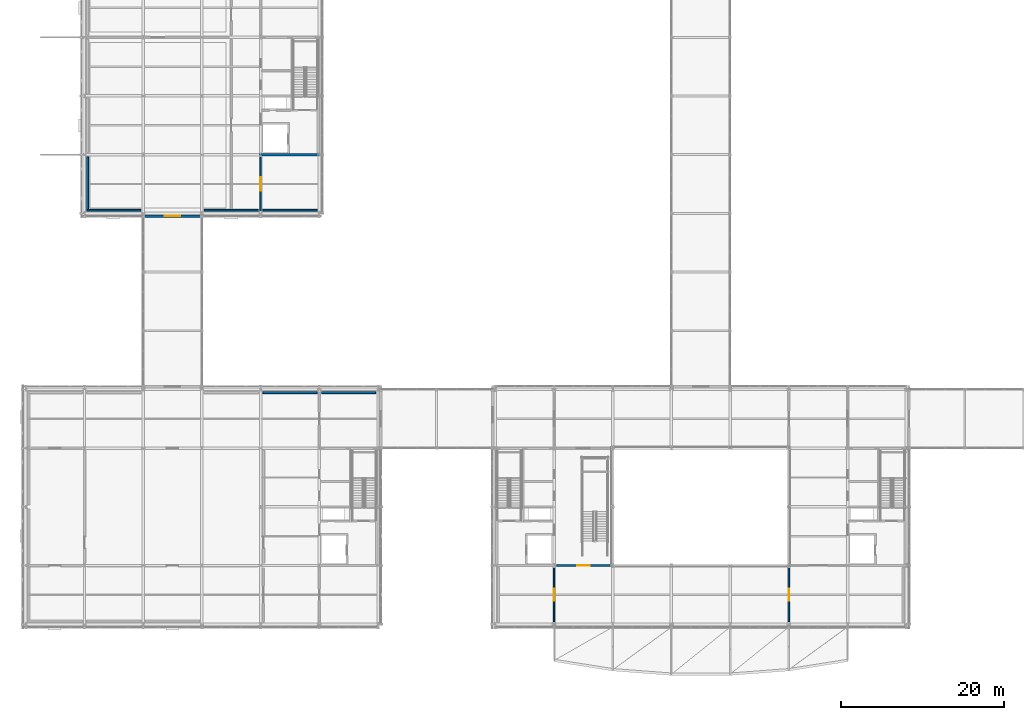
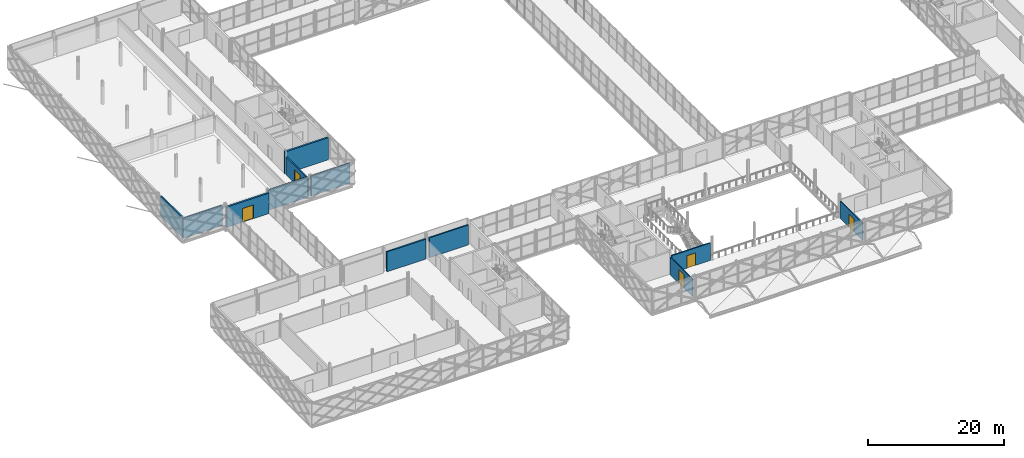
# One storey, part 120 of 146: 12 walls, 5 doors, 5 openings.
"""IFC4 building model written with IfcOpenShell, lengths in metres."""

from ifc_helpers import new_model, si_unit, direction, frame, frame_2d, origin, place, context, subcontext, project, spatial, rectangle, extrude, material, layer, layer_set, type_object, element, fill, save


model = new_model("IFC4")

# Units and contexts
model_context = context("Model", 3, precision=1e-05, world=origin(), true_north=direction((0.0, 1.0)))
body_context = subcontext(model_context, "Body", "Model", "MODEL_VIEW")
ifc_project = project(units=[si_unit("LENGTHUNIT", "METRE"), si_unit("AREAUNIT", "SQUARE_METRE"), si_unit("VOLUMEUNIT", "CUBIC_METRE"), si_unit("PLANEANGLEUNIT", "RADIAN"), si_unit("MASSUNIT", "GRAM", prefix="KILO")], contexts=[model_context])

# Site, building, storey
site_placement = place(None, origin())
site = spatial("IfcSite", under=ifc_project, at=site_placement, CompositionType="ELEMENT")
building_placement = place(site_placement, origin())
building = spatial("IfcBuilding", under=site, at=building_placement, Name="Zlatovets Crest Museum", CompositionType="ELEMENT")
storey_placement = place(building_placement, frame((0.0, 0.0, 4.5)))
storey = spatial("IfcBuildingStorey", under=building, at=storey_placement, Name="L01", CompositionType="ELEMENT", Elevation=4.5)

# Walls
ifc_material_1 = material(Name="Concrete C35/45", Category="concrete")
ifc_layer_1 = layer(ifc_material_1, 0.300048828125)
ifc_layer_set_1 = layer_set([ifc_layer_1], Name="Concrete C35/45")
wall_type_1 = type_object("IfcWallType", Name="CoreWall_SW01", PredefinedType="SHEAR", material=ifc_layer_set_1)
wall_1_placement = place(storey_placement, frame((28.64990234375, 57.60009765625, 0.0), z_axis=(0.0, 0.0, 1.0), x_axis=(1.0, 0.0, 0.0)))
element("IfcWall", 1, at=wall_1_placement, inside=storey, type_object=wall_type_1, Name="Core C4 L01 South Shear Wall", PredefinedType="SHEAR", context=body_context, shape_type="SweptSolid", body=[
    extrude(rectangle(XDim=7.35009765625, YDim=0.300048828125, at=frame_2d((3.675048828125, 0.0))), origin(), (0.0, 0.0, 1.0), 3.97998046875),
])
ifc_material_2 = material(Name="Insulated gallery conservation liner wall", Category="concrete")
ifc_layer_2 = layer(ifc_material_2, 0.300048828125)
ifc_layer_set_2 = layer_set([ifc_layer_2], Name="Insulated gallery conservation liner wall")
wall_type_2 = type_object("IfcWallType", Name="ExtWall_EW-02", PredefinedType="STANDARD", material=ifc_layer_set_2)
for number, where, z_axis, x_axis, name in (
    (2, (42.919921875, 28.419921875, 0.0), (0.0, 0.0, 1.0), (-1.0, 0.0, 0.0), "V3 L01 Interior Conservation Gallery Liner Wall"),
    (3, (35.719970703125, 28.419921875, 0.0), (0.0, 0.0, 1.0), (-1.0, 0.0, 0.0), "V3 L01 Interior Conservation Gallery Liner Wall"),
):
    element("IfcWall", number, at=place(storey_placement, frame(where, z_axis=z_axis, x_axis=x_axis)), inside=storey, type_object=wall_type_2, Name=name, PredefinedType="STANDARD", context=body_context, shape_type="SweptSolid", body=[
        extrude(rectangle(XDim=6.639892578125, YDim=0.239990234375, at=frame_2d((3.31982421875, 0.0))), origin(), (0.0, 0.0, 1.0), 3.580078125),
    ])
wall_2_placement = place(storey_placement, frame((7.47998046875, 50.780029296875, 0.0), z_axis=(0.0, 0.0, 1.0), x_axis=(1.0, 0.0, 0.0)))
element("IfcWall", 4, at=wall_2_placement, inside=storey, type_object=wall_type_2, Name="V4 L01 Interior Conservation Gallery Liner Wall", PredefinedType="STANDARD", context=body_context, shape_type="SweptSolid", body=[
    extrude(rectangle(XDim=6.64013671875, YDim=0.239990234375, at=frame_2d((3.320068359375, 0.0))), origin(), (0.0, 0.0, 1.0), 3.580078125),
])

# Wall, opening, door
wall_3_placement = place(storey_placement, frame((14.39990234375, 50.06005859375, 0.0), z_axis=(0.0, 0.0, 1.0), x_axis=(1.0, 0.0, 0.0)))
wall_3 = element("IfcWall", 5, at=wall_3_placement, inside=storey, type_object=wall_type_2, Name="V4 L01 Bridge Portal Wall", PredefinedType="STANDARD", context=body_context, shape_type="SweptSolid", body=[
    extrude(rectangle(XDim=7.2001953125, YDim=0.300048828125, at=frame_2d((3.60009765625, 0.0))), origin(), (0.0, 0.0, 1.0), 3.64990234375),
])
opening_1_placement = place(wall_3_placement, frame((2.64990234375, 0.0, 0.0)))
opening_1 = element("IfcOpeningElement", 6, at=opening_1_placement, cuts=wall_3, Name="Opening ED-02", PredefinedType="OPENING", context=body_context, shape_type="SweptSolid", body=[
    extrude(rectangle(XDim=1.89990234375, YDim=2.449951171875, at=frame_2d((0.949951171875, 1.22509765625))), frame((0.0, 0.16015625, 0.0), z_axis=(0.0, -1.0, 0.0), x_axis=(1.0, 0.0, 0.0)), (0.0, 0.0, 1.0), 0.320068359375),
])
ifc_material_3 = material(Name="Bronze-clad insulated steel door", Category="steel")
door_type_1 = type_object("IfcDoorType", Name="ExtDoor_ED-02", OperationType="NOTDEFINED", PredefinedType="DOOR", material=ifc_material_3)
door_1_placement = place(opening_1_placement, origin())
door_1 = element("IfcDoor", 7, at=door_1_placement, inside=storey, type_object=door_type_1, Name="ED-V4-L01-BR037 V4 L01 Bridge Link Portal Door", OperationType="DOUBLE_DOOR_SINGLE_SWING", OverallHeight=2.449951171875, OverallWidth=1.89990234375, PredefinedType="DOOR", context=body_context, shape_type="SweptSolid", body=[
    extrude(rectangle(XDim=1.89990234375, YDim=2.449951171875, at=frame_2d((0.949951171875, 1.22509765625))), frame((0.0, 0.02490234375, 0.0), z_axis=(0.0, -1.0, 0.0), x_axis=(1.0, 0.0, 0.0)), (0.0, 0.0, 1.0), 0.050048828125),
])
fill(opening_1, door_1)

# Walls
wall_4_placement = place(storey_placement, frame((21.8798828125, 50.780029296875, 0.0), z_axis=(0.0, 0.0, 1.0), x_axis=(1.0, 0.0, 0.0)))
element("IfcWall", 8, at=wall_4_placement, inside=storey, type_object=wall_type_2, Name="V4 L01 Interior Conservation Gallery Liner Wall", PredefinedType="STANDARD", context=body_context, shape_type="SweptSolid", body=[
    extrude(rectangle(XDim=6.64013671875, YDim=0.239990234375, at=frame_2d((3.320068359375, 0.0))), origin(), (0.0, 0.0, 1.0), 3.580078125),
])
wall_5_placement = place(storey_placement, frame((29.080078125, 50.780029296875, 0.0), z_axis=(0.0, 0.0, 1.0), x_axis=(1.0, 0.0, 0.0)))
element("IfcWall", 9, at=wall_5_placement, inside=storey, type_object=wall_type_2, Name="V4 L01 Interior Conservation Gallery Liner Wall", PredefinedType="STANDARD", context=body_context, shape_type="SweptSolid", body=[
    extrude(rectangle(XDim=6.639892578125, YDim=0.239990234375, at=frame_2d((3.31982421875, 0.0))), origin(), (0.0, 0.0, 1.0), 3.580078125),
])
wall_6_placement = place(storey_placement, frame((7.580078125, 57.320068359375, 0.0), z_axis=(0.0, 0.0, 1.0), x_axis=(0.0, -1.0, 0.0)))
element("IfcWall", 10, at=wall_6_placement, inside=storey, type_object=wall_type_2, Name="V4 L01 Interior Conservation Gallery Liner Wall", PredefinedType="STANDARD", context=body_context, shape_type="SweptSolid", body=[
    extrude(rectangle(XDim=6.64013671875, YDim=0.239990234375, at=frame_2d((3.320068359375, 0.0))), origin(), (0.0, 0.0, 1.0), 3.580078125),
])

# Wall, opening, door
ifc_material_4 = material(Name="Gypsum-encased fire compartment partition")
ifc_layer_3 = layer(ifc_material_4, 0.199951171875)
ifc_layer_set_3 = layer_set([ifc_layer_3], Name="Gypsum-encased fire compartment partition")
wall_type_3 = type_object("IfcWallType", Name="PartWall_PT-01", PredefinedType="PARTITIONING", material=ifc_layer_set_3)
wall_7_placement = place(storey_placement, frame((65.1201171875, 7.199951171875, 0.0), z_axis=(0.0, 0.0, 1.0), x_axis=(1.0, 0.0, 0.0)))
wall_7 = element("IfcWall", 11, at=wall_7_placement, inside=storey, type_object=wall_type_3, Name="V2 L01 Interior Partition PT-01", PredefinedType="PARTITIONING", context=body_context, shape_type="SweptSolid", body=[
    extrude(rectangle(XDim=6.559814453125, YDim=0.199951171875, at=frame_2d((3.27978515625, 0.0))), origin(), (0.0, 0.0, 1.0), 3.14990234375),
])
opening_2_placement = place(wall_7_placement, frame((2.530029296875, 0.0, 0.0)))
opening_2 = element("IfcOpeningElement", 12, at=opening_2_placement, cuts=wall_7, Name="Opening FD-02", PredefinedType="OPENING", context=body_context, shape_type="SweptSolid", body=[
    extrude(rectangle(XDim=1.5, YDim=2.25, at=frame_2d((0.75, 1.125))), frame((0.0, 0.10986328125, 0.0), z_axis=(0.0, -1.0, 0.0), x_axis=(1.0, 0.0, 0.0)), (0.0, 0.0, 1.0), 0.219970703125),
])
ifc_material_5 = material(Name="Double corridor compartment fire door")
door_type_2 = type_object("IfcDoorType", Name="IntDoor_FD-02", OperationType="DOUBLE_DOOR_SINGLE_SWING", PredefinedType="DOOR", material=ifc_material_5)
door_2_placement = place(opening_2_placement, origin())
door_2 = element("IfcDoor", 13, at=door_2_placement, inside=storey, type_object=door_type_2, Name="IDOOR-V2-L01-0105 Atrium West Stair Gallery L01 to Applied Ceramic Salon Door", OperationType="DOUBLE_DOOR_SINGLE_SWING", OverallHeight=2.25, OverallWidth=1.5, PredefinedType="DOOR", context=body_context, shape_type="SweptSolid", body=[
    extrude(rectangle(XDim=1.5, YDim=2.25, at=frame_2d((0.75, 1.125))), frame((0.0, 0.02490234375, 0.0), z_axis=(0.0, -1.0, 0.0), x_axis=(1.0, 0.0, 0.0)), (0.0, 0.0, 1.0), 0.050048828125),
])
fill(opening_2, door_2)

wall_8_placement = place(storey_placement, frame((28.800048828125, 50.719970703125, 0.0), z_axis=(0.0, 0.0, 1.0), x_axis=(0.0, 1.0, 0.0)))
wall_8 = element("IfcWall", 14, at=wall_8_placement, inside=storey, type_object=wall_type_3, Name="V4 L01 Interior Partition PT-01", PredefinedType="PARTITIONING", context=body_context, shape_type="SweptSolid", body=[
    extrude(rectangle(XDim=6.56005859375, YDim=0.199951171875, at=frame_2d((3.280029296875, 0.0))), origin(), (0.0, 0.0, 1.0), 3.14990234375),
])
opening_3_placement = place(wall_8_placement, frame((2.47998046875, 0.0, 0.0)))
opening_3 = element("IfcOpeningElement", 15, at=opening_3_placement, cuts=wall_8, Name="Opening ID-04", PredefinedType="OPENING", context=body_context, shape_type="SweptSolid", body=[
    extrude(rectangle(XDim=1.60009765625, YDim=2.35009765625, at=frame_2d((0.800048828125, 1.175048828125))), frame((0.0, 0.10986328125, 0.0), z_axis=(0.0, -1.0, 0.0), x_axis=(1.0, 0.0, 0.0)), (0.0, 0.0, 1.0), 0.219970703125),
])
ifc_material_6 = material(Name="Gallery salon double portal door")
door_type_3 = type_object("IfcDoorType", Name="IntDoor_ID-04", OperationType="DOUBLE_DOOR_SINGLE_SWING", PredefinedType="DOOR", material=ifc_material_6)
door_3_placement = place(opening_3_placement, origin())
door_3 = element("IfcDoor", 16, at=door_3_placement, inside=storey, type_object=door_type_3, Name="IDOOR-V4-L01-0125 West Wing Promenade L01 to South Bridge Vestibule V4 Door", OperationType="DOUBLE_DOOR_SINGLE_SWING", OverallHeight=2.35009765625, OverallWidth=1.60009765625, PredefinedType="DOOR", context=body_context, shape_type="SweptSolid", body=[
    extrude(rectangle(XDim=1.60009765625, YDim=2.35009765625, at=frame_2d((0.800048828125, 1.175048828125))), frame((0.0, 0.02490234375, 0.0), z_axis=(0.0, -1.0, 0.0), x_axis=(1.0, 0.0, 0.0)), (0.0, 0.0, 1.0), 0.050048828125),
])
fill(opening_3, door_3)

ifc_material_7 = material(Name="Acoustic museum gallery stud partition")
ifc_layer_4 = layer(ifc_material_7, 0.159912109375)
ifc_layer_set_4 = layer_set([ifc_layer_4], Name="Acoustic museum gallery stud partition")
wall_type_4 = type_object("IfcWallType", Name="PartWall_PT-02", PredefinedType="PARTITIONING", material=ifc_layer_set_4)
wall_9_placement = place(storey_placement, frame((93.60009765625, 0.320068359375, 0.0), z_axis=(0.0, 0.0, 1.0), x_axis=(0.0, 1.0, 0.0)))
wall_9 = element("IfcWall", 17, at=wall_9_placement, inside=storey, type_object=wall_type_4, Name="V2 L01 Interior Partition PT-02", PredefinedType="PARTITIONING", context=body_context, shape_type="SweptSolid", body=[
    extrude(rectangle(XDim=6.559814453125, YDim=0.159912109375, at=frame_2d((3.27978515625, 0.0))), origin(), (0.0, 0.0, 1.0), 3.14990234375),
])
opening_4_placement = place(wall_9_placement, frame((2.554931640625, 0.0, 0.0)))
opening_4 = element("IfcOpeningElement", 18, at=opening_4_placement, cuts=wall_9, Name="Opening ID-22", PredefinedType="OPENING", context=body_context, shape_type="SweptSolid", body=[
    extrude(rectangle(XDim=1.449951171875, YDim=2.35009765625, at=frame_2d((0.72509765625, 1.175048828125))), frame((0.0, 0.08984375, 0.0), z_axis=(0.0, -1.0, 0.0), x_axis=(1.0, 0.0, 0.0)), (0.0, 0.0, 1.0), 0.179931640625),
])
ifc_material_8 = material(Name="Education studio double door")
door_type_4 = type_object("IfcDoorType", Name="IntDoor_ID-22", OperationType="DOUBLE_DOOR_SINGLE_SWING", PredefinedType="DOOR", material=ifc_material_8)
door_4_placement = place(opening_4_placement, origin())
door_4 = element("IfcDoor", 19, at=door_4_placement, inside=storey, type_object=door_type_4, Name="IDOOR-V2-L01-0107 Applied Ceramic Salon to Education Workshop Room Door", OperationType="DOUBLE_DOOR_SINGLE_SWING", OverallHeight=2.35009765625, OverallWidth=1.449951171875, PredefinedType="DOOR", context=body_context, shape_type="SweptSolid", body=[
    extrude(rectangle(XDim=1.449951171875, YDim=2.35009765625, at=frame_2d((0.72509765625, 1.175048828125))), frame((0.0, 0.02490234375, 0.0), z_axis=(0.0, -1.0, 0.0), x_axis=(1.0, 0.0, 0.0)), (0.0, 0.0, 1.0), 0.050048828125),
])
fill(opening_4, door_4)

wall_10_placement = place(storey_placement, frame((64.800048828125, 0.320068359375, 0.0), z_axis=(0.0, 0.0, 1.0), x_axis=(0.0, 1.0, 0.0)))
wall_10 = element("IfcWall", 20, at=wall_10_placement, inside=storey, type_object=wall_type_4, Name="V2 L01 Interior Partition PT-02", PredefinedType="PARTITIONING", context=body_context, shape_type="SweptSolid", body=[
    extrude(rectangle(XDim=6.559814453125, YDim=0.159912109375, at=frame_2d((3.27978515625, 0.0))), origin(), (0.0, 0.0, 1.0), 3.14990234375),
])
opening_5_placement = place(wall_10_placement, frame((2.530029296875, 0.0, 0.0)))
opening_5 = element("IfcOpeningElement", 21, at=opening_5_placement, cuts=wall_10, Name="Opening ID-23", PredefinedType="OPENING", context=body_context, shape_type="SweptSolid", body=[
    extrude(rectangle(XDim=1.5, YDim=2.5, at=frame_2d((0.75, 1.25))), frame((0.0, 0.08984375, 0.0), z_axis=(0.0, -1.0, 0.0), x_axis=(1.0, 0.0, 0.0)), (0.0, 0.0, 1.0), 0.179931640625),
])
ifc_material_9 = material(Name="Foyer vestibule double door")
door_type_5 = type_object("IfcDoorType", Name="IntDoor_ID-23", OperationType="DOUBLE_DOOR_SINGLE_SWING", PredefinedType="DOOR", material=ifc_material_9)
door_5_placement = place(opening_5_placement, origin())
door_5 = element("IfcDoor", 22, at=door_5_placement, inside=storey, type_object=door_type_5, Name="IDOOR-V2-L01-0108 Applied Ceramic Salon to West Wing Study L01 Door", OperationType="DOUBLE_DOOR_SINGLE_SWING", OverallHeight=2.5, OverallWidth=1.5, PredefinedType="DOOR", context=body_context, shape_type="SweptSolid", body=[
    extrude(rectangle(XDim=1.5, YDim=2.5, at=frame_2d((0.75, 1.25))), frame((0.0, 0.02490234375, 0.0), z_axis=(0.0, -1.0, 0.0), x_axis=(1.0, 0.0, 0.0)), (0.0, 0.0, 1.0), 0.050048828125),
])
fill(opening_5, door_5)

save(model, "model.ifc")
